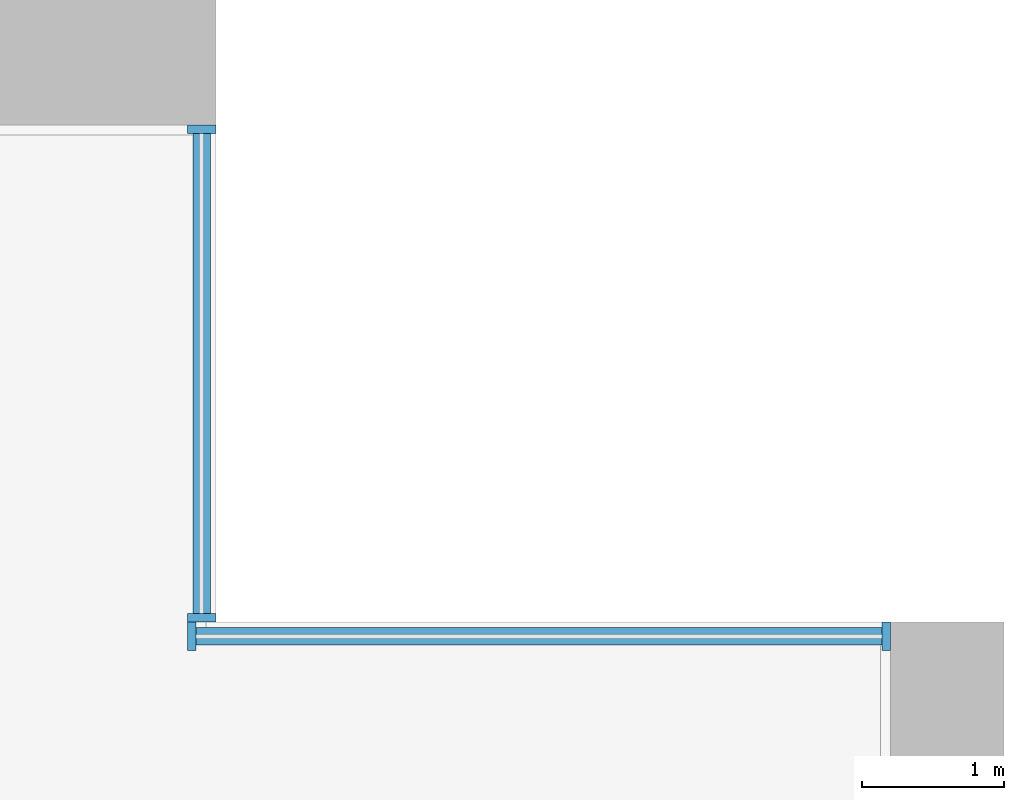
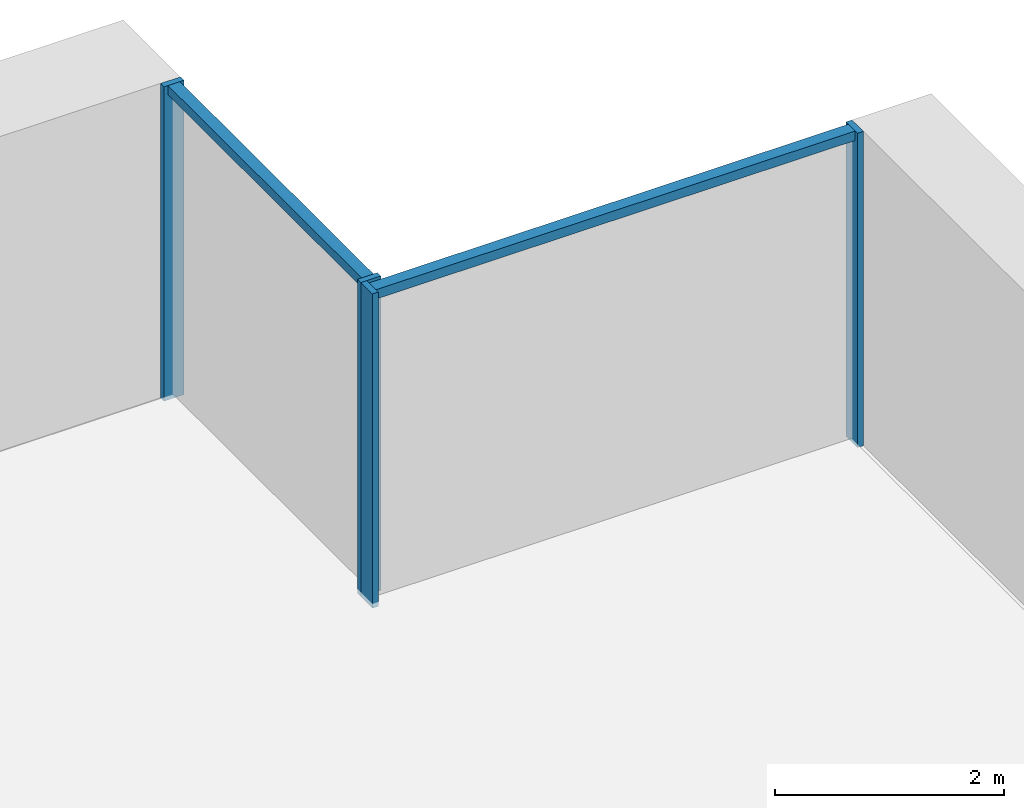
# One storey, part 6 of 17: 6 members, 2 elements without a shape of their own.
"""IFC4 building model written with IfcOpenShell, lengths in metres."""

from ifc_helpers import new_model, si_unit, direction, frame, origin, origin_2d, place, context, subcontext, project, spatial, rectangle, extrude, material, material_profile, profile_set, type_object, element, aggregate, save


model = new_model("IFC4")

# Units and contexts
model_context = context("Model", 3, precision=1e-05, world=origin(), true_north=direction((0.0, 1.0)))
body_context = subcontext(model_context, "Body", "Model", "MODEL_VIEW")
ifc_project = project(units=[si_unit("LENGTHUNIT", "METRE"), si_unit("AREAUNIT", "SQUARE_METRE"), si_unit("VOLUMEUNIT", "CUBIC_METRE"), si_unit("PLANEANGLEUNIT", "RADIAN"), si_unit("MASSUNIT", "GRAM", prefix="KILO")], contexts=[model_context])

# Site, building, storey
site_placement = place(None, origin())
site = spatial("IfcSite", under=ifc_project, at=site_placement, CompositionType="ELEMENT")
building_placement = place(site_placement, origin())
building = spatial("IfcBuilding", under=site, at=building_placement, Name="Calvaro Tower", CompositionType="ELEMENT")
storey_placement = place(building_placement, frame((0.0, 0.0, 71.25)))
storey = spatial("IfcBuildingStorey", under=building, at=storey_placement, Name="L17", CompositionType="ELEMENT", Elevation=71.25)

# Curtain wall, members
ifc_material_1 = material(Name="Anodised aluminium", Category="aluminium")
curtain_wall_type = type_object("IfcCurtainWallType", Name="Office curtain wall, lower zone", PredefinedType="NOTDEFINED", material=ifc_material_1)
curtain_wall_1_placement = place(storey_placement, origin())
curtain_wall_1 = element("IfcCurtainWall", 1, at=curtain_wall_1_placement, inside=storey, type_object=curtain_wall_type, Name="CW1 corner curtain wall", PredefinedType="NOTDEFINED")
ifc_material_2 = material(Name="Anodised aluminium", Category="aluminium")
ifc_material_profile_1 = material_profile(ifc_material_2, rectangle(XDim=0.199951171875, YDim=0.06005859375, at=origin_2d()), Name="Mullion S1 60 x 200")
ifc_profile_set_1 = profile_set([ifc_material_profile_1], Name="Anodised aluminium")
member_type_1 = type_object("IfcMemberType", Name="Mullion S1 60 x 200", PredefinedType="MULLION", material=ifc_profile_set_1)
member_1_placement = place(storey_placement, frame((72.35009765625, 41.530029296875, 0.0), z_axis=(0.0, 0.0, 1.0), x_axis=(-1.0, 0.0, 0.0)))
member_1 = element("IfcMember", 2, at=member_1_placement, type_object=member_type_1, Name="CW1 mullion 1", PredefinedType="MULLION", context=body_context, shape_type="SweptSolid", body=[
    extrude(rectangle(XDim=0.199951171875, YDim=0.06005859375, at=origin_2d()), origin(), (0.0, 0.0, 1.0), 3.35009765625),
])
member_2_placement = place(storey_placement, frame((72.35009765625, 44.969970703125, 0.0), z_axis=(0.0, 0.0, 1.0), x_axis=(-1.0, 0.0, 0.0)))
member_2 = element("IfcMember", 3, at=member_2_placement, type_object=member_type_1, Name="CW1 mullion 2", PredefinedType="MULLION", context=body_context, shape_type="SweptSolid", body=[
    extrude(rectangle(XDim=0.199951171875, YDim=0.06005859375, at=origin_2d()), origin(), (0.0, 0.0, 1.0), 3.35009765625),
])

curtain_wall_2_placement = place(storey_placement, origin())
curtain_wall_2 = element("IfcCurtainWall", 4, at=curtain_wall_2_placement, inside=storey, type_object=curtain_wall_type, Name="CW1 corner curtain wall", PredefinedType="NOTDEFINED")
member_3_placement = place(storey_placement, frame((72.280029296875, 41.39990234375, 0.0), z_axis=(0.0, 0.0, 1.0), x_axis=(0.0, 1.0, 0.0)))
member_3 = element("IfcMember", 5, at=member_3_placement, type_object=member_type_1, Name="CW1 mullion 1", PredefinedType="MULLION", context=body_context, shape_type="SweptSolid", body=[
    extrude(rectangle(XDim=0.199951171875, YDim=0.06005859375, at=origin_2d()), origin(), (0.0, 0.0, 1.0), 3.35009765625),
])
member_4_placement = place(storey_placement, frame((77.169921875, 41.39990234375, 0.0), z_axis=(0.0, 0.0, 1.0), x_axis=(0.0, 1.0, 0.0)))
member_4 = element("IfcMember", 6, at=member_4_placement, type_object=member_type_1, Name="CW1 mullion 2", PredefinedType="MULLION", context=body_context, shape_type="SweptSolid", body=[
    extrude(rectangle(XDim=0.199951171875, YDim=0.06005859375, at=origin_2d()), origin(), (0.0, 0.0, 1.0), 3.35009765625),
])

# Member
ifc_material_3 = material(Name="Anodised aluminium", Category="aluminium")
ifc_material_profile_2 = material_profile(ifc_material_3, rectangle(XDim=0.1201171875, YDim=0.10009765625, at=origin_2d()), Name="Transom S1 100 x 120")
ifc_profile_set_2 = profile_set([ifc_material_profile_2], Name="Anodised aluminium")
member_type_2 = type_object("IfcMemberType", Name="Transom S1 100 x 120", PredefinedType="USERDEFINED", material=ifc_profile_set_2)
member_5_placement = place(storey_placement, frame((72.35009765625, 41.56005859375, 3.300048828125), z_axis=(0.0, 1.0, 0.0), x_axis=(-1.0, 0.0, 0.0)))
member_5 = element("IfcMember", 7, at=member_5_placement, type_object=member_type_2, Name="CW1 transom 1.1", ObjectType="TRANSOM", PredefinedType="USERDEFINED", context=body_context, shape_type="SweptSolid", body=[
    extrude(rectangle(XDim=0.1201171875, YDim=0.10009765625, at=origin_2d()), origin(), (0.0, 0.0, 1.0), 3.3798828125),
])

aggregate(curtain_wall_1, [member_1, member_2, member_5])

member_6_placement = place(storey_placement, frame((72.31005859375, 41.39990234375, 3.300048828125), z_axis=(1.0, 0.0, 0.0), x_axis=(0.0, 1.0, 0.0)))
member_6 = element("IfcMember", 8, at=member_6_placement, type_object=member_type_2, Name="CW1 transom 1.1", ObjectType="TRANSOM", PredefinedType="USERDEFINED", context=body_context, shape_type="SweptSolid", body=[
    extrude(rectangle(XDim=0.1201171875, YDim=0.10009765625, at=origin_2d()), origin(), (0.0, 0.0, 1.0), 4.829833984375),
])

aggregate(curtain_wall_2, [member_3, member_4, member_6])

save(model, "model.ifc")
